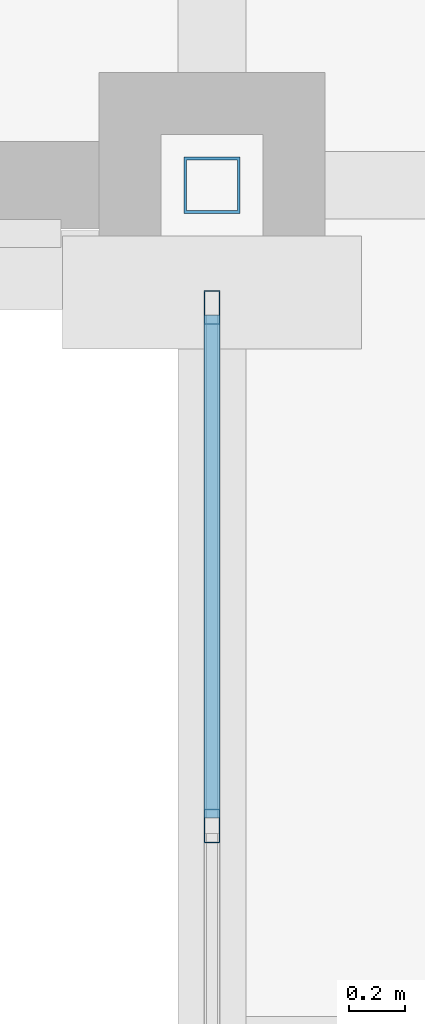
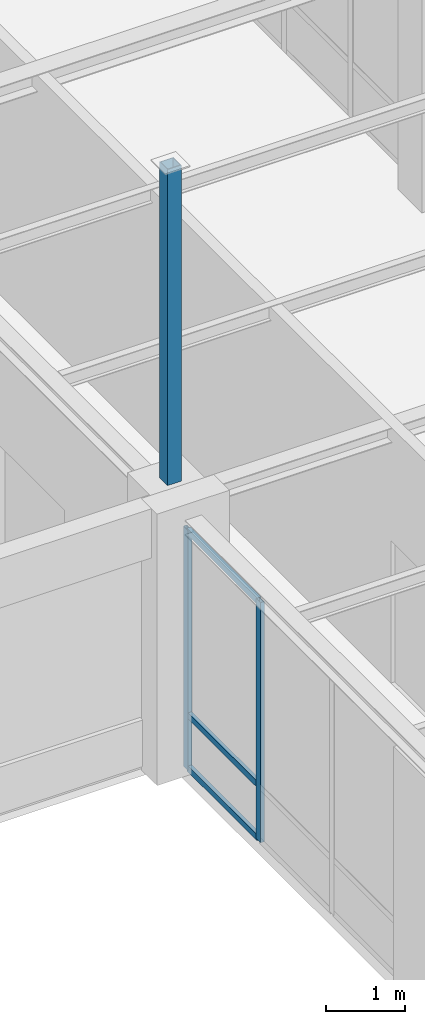
# One storey, part 7 of 36: 6 members, 1 element without a shape of its own.
"""IFC4 building model written with IfcOpenShell, lengths in metres."""

from ifc_helpers import new_model, si_unit, direction, frame, origin, origin_2d, place, context, subcontext, project, spatial, hollow_rectangle, extrude, material, material_profile, profile_set, type_object, element, aggregate, save


model = new_model("IFC4")

# Units and contexts
model_context = context("Model", 3, precision=1e-05, world=origin(), true_north=direction((0.0, 1.0)))
body_context = subcontext(model_context, "Body", "Model", "MODEL_VIEW")
ifc_project = project(units=[si_unit("LENGTHUNIT", "METRE"), si_unit("AREAUNIT", "SQUARE_METRE"), si_unit("VOLUMEUNIT", "CUBIC_METRE"), si_unit("PLANEANGLEUNIT", "RADIAN"), si_unit("MASSUNIT", "GRAM", prefix="KILO")], contexts=[model_context])

# Site, building, storey
site_placement = place(None, origin())
site = spatial("IfcSite", under=ifc_project, at=site_placement, CompositionType="ELEMENT")
building_placement = place(site_placement, origin())
building = spatial("IfcBuilding", under=site, at=building_placement, Name="Lykobir Media Centre", CompositionType="ELEMENT")
storey_placement = place(building_placement, frame((0.0, 0.0, 27.60009765625)))
storey = spatial("IfcBuildingStorey", under=building, at=storey_placement, Name="L06", CompositionType="ELEMENT", Elevation=27.60009765625)

# Curtain wall, members
ifc_material_1 = material(Name="Anodized Aluminium AW-6060", Category="aluminium")
curtain_wall_type = type_object("IfcCurtainWallType", Name="CW-COURT-B", PredefinedType="NOTDEFINED", material=ifc_material_1)
curtain_wall_placement = place(storey_placement, origin())
curtain_wall = element("IfcCurtainWall", 1, at=curtain_wall_placement, inside=storey, type_object=curtain_wall_type, Name="Curtain wall CW2-L06-0215", PredefinedType="NOTDEFINED")
ifc_material_profile_1 = material_profile(ifc_material_1, hollow_rectangle(XDim=0.054931640625, YDim=0.1201171875, WallThickness=0.003173828125, at=origin_2d()), Name="ALU MULLION 55x120")
ifc_profile_set_1 = profile_set([ifc_material_profile_1], Name="Anodized Aluminium AW-6060")
member_type_1 = type_object("IfcMemberType", Name="CWM-120", PredefinedType="MULLION", material=ifc_profile_set_1)
member_1_placement = place(storey_placement, frame((27.0, 24.72998046875, 0.0), z_axis=(0.0, 0.0, 1.0), x_axis=(-1.0, 0.0, 0.0)))
member_1 = element("IfcMember", 2, at=member_1_placement, type_object=member_type_1, Name="CW2-L06-0215 mullion 3", PredefinedType="MULLION", context=body_context, shape_type="SweptSolid", body=[
    extrude(hollow_rectangle(XDim=0.054931640625, YDim=0.1201171875, WallThickness=0.003173828125, at=origin_2d()), origin(), (0.0, 0.0, 1.0), 3.71484375),
])
member_2_placement = place(storey_placement, frame((27.0, 26.5673828125, 0.0), z_axis=(0.0, 0.0, 1.0), x_axis=(-1.0, 0.0, 0.0)))
member_2 = element("IfcMember", 3, at=member_2_placement, type_object=member_type_1, Name="CW2-L06-0215 mullion 4", PredefinedType="MULLION", context=body_context, shape_type="SweptSolid", body=[
    extrude(hollow_rectangle(XDim=0.054931640625, YDim=0.1201171875, WallThickness=0.003173828125, at=origin_2d()), origin(), (0.0, 0.0, 1.0), 3.71484375),
])
ifc_material_profile_2 = material_profile(ifc_material_1, hollow_rectangle(XDim=0.054931640625, YDim=0.094970703125, WallThickness=0.0029296875, at=origin_2d()), Name="ALU TRANSOM 55x95")
ifc_profile_set_2 = profile_set([ifc_material_profile_2], Name="Anodized Aluminium AW-6060")
member_type_2 = type_object("IfcMemberType", Name="CWT-095", PredefinedType="USERDEFINED", material=ifc_profile_set_2)
member_3_placement = place(storey_placement, frame((27.0, 24.757568359375, 0.02734375), z_axis=(0.0, 1.0, 0.0), x_axis=(-1.0, 0.0, 0.0)))
member_3 = element("IfcMember", 4, at=member_3_placement, type_object=member_type_2, Name="CW2-L06-0215 transom 3.1", ObjectType="TRANSOM", PredefinedType="USERDEFINED", context=body_context, shape_type="SweptSolid", body=[
    extrude(hollow_rectangle(XDim=0.054931640625, YDim=0.094970703125, WallThickness=0.0029296875, at=origin_2d()), origin(), (0.0, 0.0, 1.0), 1.782470703125),
])
member_4_placement = place(storey_placement, frame((27.0, 24.757568359375, 0.849853515625), z_axis=(0.0, 1.0, 0.0), x_axis=(-1.0, 0.0, 0.0)))
member_4 = element("IfcMember", 5, at=member_4_placement, type_object=member_type_2, Name="CW2-L06-0215 transom 3.2", ObjectType="TRANSOM", PredefinedType="USERDEFINED", context=body_context, shape_type="SweptSolid", body=[
    extrude(hollow_rectangle(XDim=0.054931640625, YDim=0.094970703125, WallThickness=0.0029296875, at=origin_2d()), origin(), (0.0, 0.0, 1.0), 1.782470703125),
])
member_5_placement = place(storey_placement, frame((27.0, 24.757568359375, 3.6875), z_axis=(0.0, 1.0, 0.0), x_axis=(-1.0, 0.0, 0.0)))
member_5 = element("IfcMember", 6, at=member_5_placement, type_object=member_type_2, Name="CW2-L06-0215 transom 3.3", ObjectType="TRANSOM", PredefinedType="USERDEFINED", context=body_context, shape_type="SweptSolid", body=[
    extrude(hollow_rectangle(XDim=0.054931640625, YDim=0.094970703125, WallThickness=0.0029296875, at=origin_2d()), origin(), (0.0, 0.0, 1.0), 1.782470703125),
])
aggregate(curtain_wall, [member_1, member_2, member_3, member_4, member_5])

# Member
ifc_material_2 = material(Name="Steel S355", Category="steel")
ifc_material_profile_3 = material_profile(ifc_material_2, hollow_rectangle(XDim=0.199951171875, YDim=0.199951171875, WallThickness=0.010009765625, at=origin_2d()), Name="SHS 200x200x10")
ifc_profile_set_3 = profile_set([ifc_material_profile_3], Name="Steel S355")
member_type_3 = type_object("IfcMemberType", Name="TC-SHS200", PredefinedType="CHORD", material=ifc_profile_set_3)
member_6_placement = place(storey_placement, frame((27.0, 27.0, 4.199951171875), z_axis=(0.0, 0.0, 1.0), x_axis=(1.0, 0.0, 0.0)))
element("IfcMember", 7, at=member_6_placement, inside=storey, type_object=member_type_3, Name="Truss chord MEM2-L06-0270-0270-0318-0270-0270-0003", PredefinedType="CHORD", context=body_context, shape_type="SweptSolid", body=[
    extrude(hollow_rectangle(XDim=0.199951171875, YDim=0.199951171875, WallThickness=0.010009765625, at=origin_2d()), origin(), (0.0, 0.0, 1.0), 4.890869140625),
])

save(model, "model.ifc")
